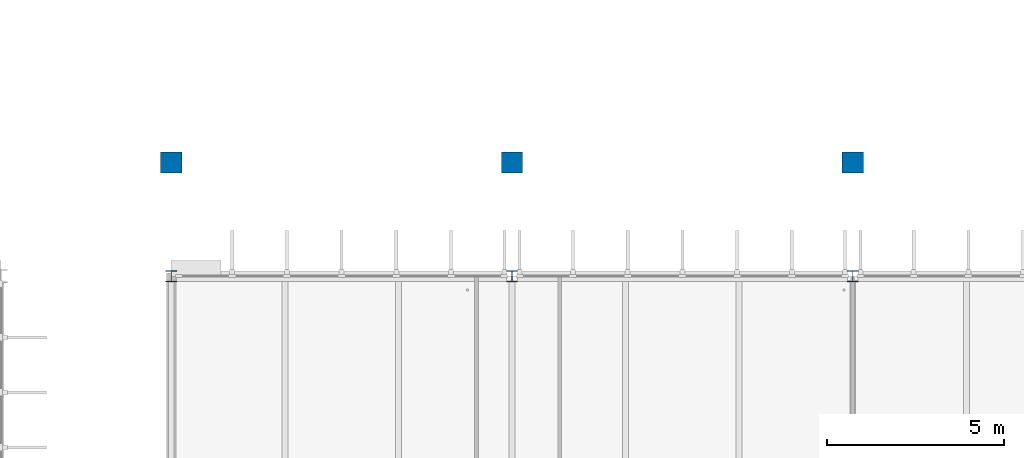
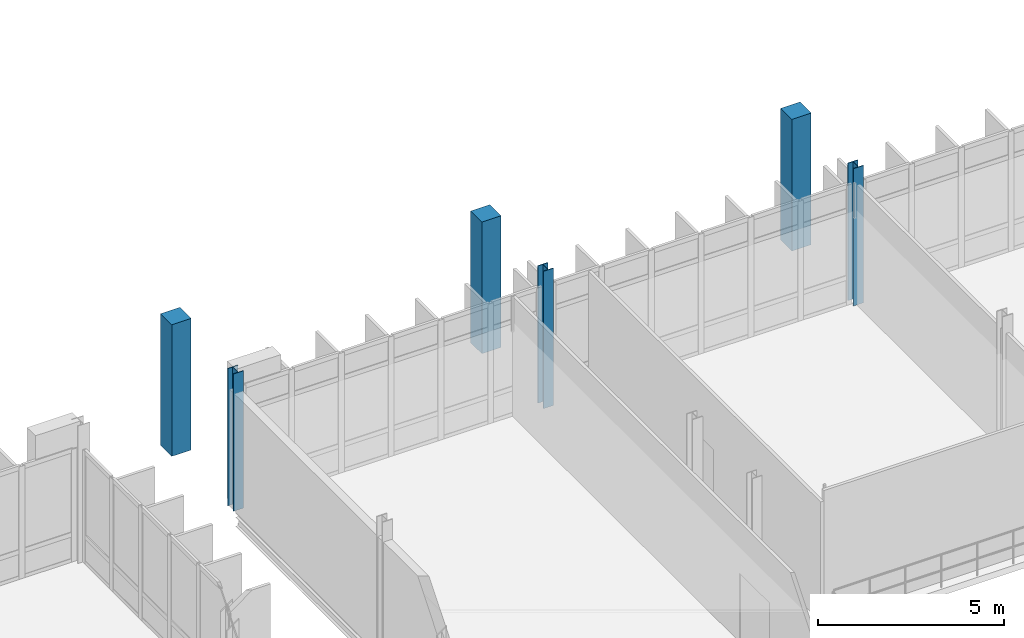
# One storey, part 5 of 110: 6 columns.
"""IFC4 building model written with IfcOpenShell, lengths in metres."""

from ifc_helpers import new_model, si_unit, direction, frame, origin, origin_2d, place, context, subcontext, project, spatial, rectangle, i_section, extrude, material, material_profile, profile_set, type_object, element, save


model = new_model("IFC4")

# Units and contexts
model_context = context("Model", 3, precision=1e-05, world=origin(), true_north=direction((0.0, 1.0)))
body_context = subcontext(model_context, "Body", "Model", "MODEL_VIEW")
ifc_project = project(units=[si_unit("LENGTHUNIT", "METRE"), si_unit("AREAUNIT", "SQUARE_METRE"), si_unit("VOLUMEUNIT", "CUBIC_METRE"), si_unit("PLANEANGLEUNIT", "RADIAN"), si_unit("MASSUNIT", "GRAM", prefix="KILO")], contexts=[model_context])

# Site, building, storey
site_placement = place(None, origin())
site = spatial("IfcSite", under=ifc_project, at=site_placement, CompositionType="ELEMENT")
building_placement = place(site_placement, origin())
building = spatial("IfcBuilding", under=site, at=building_placement, Name="Dunescarp Central Library", CompositionType="ELEMENT")
storey_placement = place(building_placement, frame((0.0, 0.0, 9.60009765625)))
storey = spatial("IfcBuildingStorey", under=building, at=storey_placement, Name="L02", CompositionType="ELEMENT", Elevation=9.60009765625)

# Columns
ifc_material_1 = material(Name="Concrete C40/50", Category="concrete")
ifc_material_profile_1 = material_profile(ifc_material_1, rectangle(XDim=0.60009765625, YDim=0.60009765625, at=origin_2d()), Name="RC 600x600")
ifc_profile_set_1 = profile_set([ifc_material_profile_1], Name="Concrete C40/50")
column_type_1 = type_object("IfcColumnType", Name="STR-COL-RC600", PredefinedType="COLUMN", material=ifc_profile_set_1)
for number, where, z_axis, x_axis, name in (
    (1, (38.39990234375, 40.0, 0.0), (0.0, 0.0, 1.0), (1.0, 0.0, 0.0), "L02 column TERP-384-400"),
    (2, (48.0, 40.0, 0.0), (0.0, 0.0, 1.0), (1.0, 0.0, 0.0), "L02 column TERP-480-400"),
    (3, (57.60009765625, 40.0, 0.0), (0.0, 0.0, 1.0), (1.0, 0.0, 0.0), "L02 column TERP-576-400"),
):
    element("IfcColumn", number, at=place(storey_placement, frame(where, z_axis=z_axis, x_axis=x_axis)), inside=storey, type_object=column_type_1, Name=name, PredefinedType="COLUMN", context=body_context, shape_type="SweptSolid", body=[
        extrude(rectangle(XDim=0.60009765625, YDim=0.60009765625, at=origin_2d()), origin(), (0.0, 0.0, 1.0), 4.309814453125),
    ])
ifc_material_2 = material(Name="Steel S355JR", Category="steel")
ifc_material_profile_2 = material_profile(ifc_material_2, i_section(OverallWidth=0.307373046875, OverallDepth=0.314453125, WebThickness=0.011962890625, FlangeThickness=0.018798828125, at=origin_2d()), Name="UC 305x305x118")
ifc_profile_set_2 = profile_set([ifc_material_profile_2], Name="Steel S355JR")
column_type_2 = type_object("IfcColumnType", Name="STR-COL-UC305X118", PredefinedType="COLUMN", material=ifc_profile_set_2)
for number, where, z_axis, x_axis, name in (
    (4, (38.39990234375, 36.800048828125, 0.0), (0.0, 0.0, 1.0), (1.0, 0.0, 0.0), "L02 column V2-384-368"),
    (5, (48.0, 36.800048828125, 0.0), (0.0, 0.0, 1.0), (1.0, 0.0, 0.0), "L02 column V2-480-368"),
    (6, (57.60009765625, 36.800048828125, 0.0), (0.0, 0.0, 1.0), (1.0, 0.0, 0.0), "L02 column V2-576-368"),
):
    element("IfcColumn", number, at=place(storey_placement, frame(where, z_axis=z_axis, x_axis=x_axis)), inside=storey, type_object=column_type_2, Name=name, PredefinedType="COLUMN", context=body_context, shape_type="SweptSolid", body=[
        extrude(i_section(OverallWidth=0.307373046875, OverallDepth=0.314453125, WebThickness=0.011962890625, FlangeThickness=0.018798828125, at=origin_2d()), origin(), (0.0, 0.0, 1.0), 4.5),
    ])

save(model, "model.ifc")
